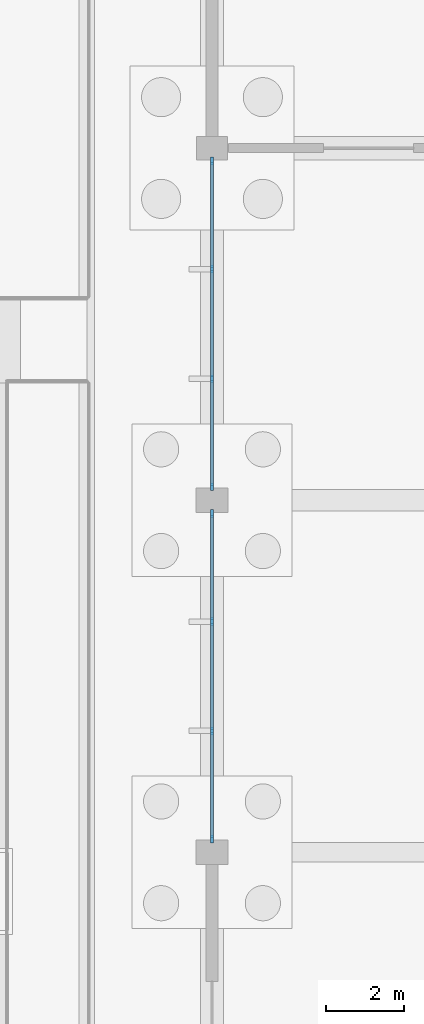
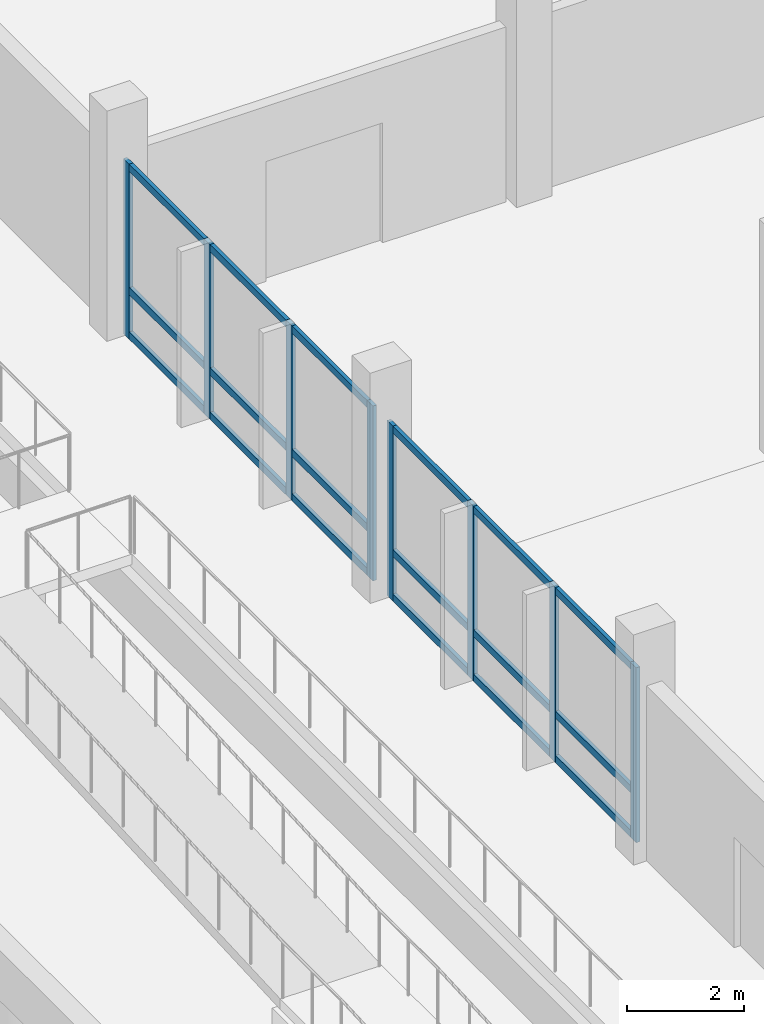
# One storey, part 20 of 72: 26 members, 2 elements without a shape of their own.
"""IFC4 building model written with IfcOpenShell, lengths in metres."""

from ifc_helpers import new_model, si_unit, direction, frame, origin, origin_2d, place, context, subcontext, project, spatial, rectangle, extrude, material, material_profile, profile_set, type_object, element, aggregate, save


model = new_model("IFC4")

# Units and contexts
model_context = context("Model", 3, precision=1e-05, world=origin(), true_north=direction((0.0, 1.0)))
body_context = subcontext(model_context, "Body", "Model", "MODEL_VIEW")
ifc_project = project(units=[si_unit("LENGTHUNIT", "METRE"), si_unit("AREAUNIT", "SQUARE_METRE"), si_unit("VOLUMEUNIT", "CUBIC_METRE"), si_unit("PLANEANGLEUNIT", "RADIAN"), si_unit("MASSUNIT", "GRAM", prefix="KILO"), si_unit("THERMODYNAMICTEMPERATUREUNIT", "KELVIN"), si_unit("POWERUNIT", "WATT")], contexts=[model_context])

# Site, building, storey
site_placement = place(None, origin())
site = spatial("IfcSite", under=ifc_project, at=site_placement, CompositionType="ELEMENT")
building_placement = place(site_placement, origin())
building = spatial("IfcBuilding", under=site, at=building_placement, Name="Kronsvod Quay Wholesale Market", CompositionType="ELEMENT")
storey_placement = place(building_placement, origin())
storey = spatial("IfcBuildingStorey", under=building, at=storey_placement, Name="L00", CompositionType="ELEMENT", Elevation=0.0)

# Curtain wall, members
ifc_material_1 = material(Name="Thermally broken aluminium and triple low-E glazing", Category="aluminium")
curtain_wall_type = type_object("IfcCurtainWallType", Name="CW_Wing90x33", PredefinedType="NOTDEFINED", material=ifc_material_1)
curtain_wall_1_placement = place(storey_placement, origin())
curtain_wall_1 = element("IfcCurtainWall", 1, at=curtain_wall_1_placement, inside=storey, type_object=curtain_wall_type, Name="CWGY-L00-0-360", PredefinedType="NOTDEFINED")
ifc_material_2 = material(Name="Anodised aluminium", Category="aluminium")
ifc_material_profile_1 = material_profile(ifc_material_2, rectangle(XDim=0.074951171875, YDim=0.199951171875, at=origin_2d()), Name="ALUM75x200")
ifc_profile_set_1 = profile_set([ifc_material_profile_1], Name="Anodised aluminium")
member_type_1 = type_object("IfcMemberType", Name="Mullion_ALU75x200", PredefinedType="MULLION", material=ifc_profile_set_1)
member_1_placement = place(storey_placement, frame((0.0, 44.657470703125, 0.0), z_axis=(0.0, 0.0, 1.0), x_axis=(1.0, 0.0, 0.0)))
member_1 = element("IfcMember", 2, at=member_1_placement, type_object=member_type_1, Name="CWGY-L00-0-360-M1", PredefinedType="MULLION", context=body_context, shape_type="SweptSolid", body=[
    extrude(rectangle(XDim=0.074951171875, YDim=0.199951171875, at=origin_2d()), origin(), (0.0, 0.0, 1.0), 3.64990234375),
])
member_2_placement = place(storey_placement, frame((0.0, 41.8984375, 0.0), z_axis=(0.0, 0.0, 1.0), x_axis=(1.0, 0.0, 0.0)))
member_2 = element("IfcMember", 3, at=member_2_placement, type_object=member_type_1, Name="CWGY-L00-0-360-M2", PredefinedType="MULLION", context=body_context, shape_type="SweptSolid", body=[
    extrude(rectangle(XDim=0.074951171875, YDim=0.199951171875, at=origin_2d()), origin(), (0.0, 0.0, 1.0), 3.64990234375),
])
member_3_placement = place(storey_placement, frame((0.0, 39.1015625, 0.0), z_axis=(0.0, 0.0, 1.0), x_axis=(1.0, 0.0, 0.0)))
member_3 = element("IfcMember", 4, at=member_3_placement, type_object=member_type_1, Name="CWGY-L00-0-360-M3", PredefinedType="MULLION", context=body_context, shape_type="SweptSolid", body=[
    extrude(rectangle(XDim=0.074951171875, YDim=0.199951171875, at=origin_2d()), origin(), (0.0, 0.0, 1.0), 3.64990234375),
])
member_4_placement = place(storey_placement, frame((0.0, 36.342529296875, 0.0), z_axis=(0.0, 0.0, 1.0), x_axis=(1.0, 0.0, 0.0)))
member_4 = element("IfcMember", 5, at=member_4_placement, type_object=member_type_1, Name="CWGY-L00-0-360-M4", PredefinedType="MULLION", context=body_context, shape_type="SweptSolid", body=[
    extrude(rectangle(XDim=0.074951171875, YDim=0.199951171875, at=origin_2d()), origin(), (0.0, 0.0, 1.0), 3.64990234375),
])

curtain_wall_2_placement = place(storey_placement, origin())
curtain_wall_2 = element("IfcCurtainWall", 6, at=curtain_wall_2_placement, inside=storey, type_object=curtain_wall_type, Name="CWGY-L00-0-450", PredefinedType="NOTDEFINED")
member_5_placement = place(storey_placement, frame((0.0, 53.66748046875, 0.0), z_axis=(0.0, 0.0, 1.0), x_axis=(1.0, 0.0, 0.0)))
member_5 = element("IfcMember", 7, at=member_5_placement, type_object=member_type_1, Name="CWGY-L00-0-450-M1", PredefinedType="MULLION", context=body_context, shape_type="SweptSolid", body=[
    extrude(rectangle(XDim=0.074951171875, YDim=0.199951171875, at=origin_2d()), origin(), (0.0, 0.0, 1.0), 3.64990234375),
])
member_6_placement = place(storey_placement, frame((0.0, 50.905029296875, 0.0), z_axis=(0.0, 0.0, 1.0), x_axis=(1.0, 0.0, 0.0)))
member_6 = element("IfcMember", 8, at=member_6_placement, type_object=member_type_1, Name="CWGY-L00-0-450-M2", PredefinedType="MULLION", context=body_context, shape_type="SweptSolid", body=[
    extrude(rectangle(XDim=0.074951171875, YDim=0.199951171875, at=origin_2d()), origin(), (0.0, 0.0, 1.0), 3.64990234375),
])
member_7_placement = place(storey_placement, frame((0.0, 48.10498046875, 0.0), z_axis=(0.0, 0.0, 1.0), x_axis=(1.0, 0.0, 0.0)))
member_7 = element("IfcMember", 9, at=member_7_placement, type_object=member_type_1, Name="CWGY-L00-0-450-M3", PredefinedType="MULLION", context=body_context, shape_type="SweptSolid", body=[
    extrude(rectangle(XDim=0.074951171875, YDim=0.199951171875, at=origin_2d()), origin(), (0.0, 0.0, 1.0), 3.64990234375),
])
member_8_placement = place(storey_placement, frame((0.0, 45.342529296875, 0.0), z_axis=(0.0, 0.0, 1.0), x_axis=(1.0, 0.0, 0.0)))
member_8 = element("IfcMember", 10, at=member_8_placement, type_object=member_type_1, Name="CWGY-L00-0-450-M4", PredefinedType="MULLION", context=body_context, shape_type="SweptSolid", body=[
    extrude(rectangle(XDim=0.074951171875, YDim=0.199951171875, at=origin_2d()), origin(), (0.0, 0.0, 1.0), 3.64990234375),
])

# Member
ifc_material_3 = material(Name="Anodised aluminium", Category="aluminium")
ifc_material_profile_2 = material_profile(ifc_material_3, rectangle(XDim=0.074951171875, YDim=0.14990234375, at=origin_2d()), Name="ALUT75x150")
ifc_profile_set_2 = profile_set([ifc_material_profile_2], Name="Anodised aluminium")
member_type_2 = type_object("IfcMemberType", Name="Transom_ALU75x150", PredefinedType="USERDEFINED", material=ifc_profile_set_2)
member_9_placement = place(storey_placement, frame((0.0, 44.6201171875, 0.074951171875), z_axis=(0.0, -1.0, 0.0), x_axis=(1.0, 0.0, 0.0)))
member_9 = element("IfcMember", 11, at=member_9_placement, type_object=member_type_2, Name="CWGY-L00-0-360-T1B1", ObjectType="TRANSOM", PredefinedType="USERDEFINED", context=body_context, shape_type="SweptSolid", body=[
    extrude(rectangle(XDim=0.074951171875, YDim=0.14990234375, at=origin_2d()), origin(), (0.0, 0.0, 1.0), 2.684326171875),
])

member_10_placement = place(storey_placement, frame((0.0, 41.86083984375, 0.074951171875), z_axis=(0.0, -1.0, 0.0), x_axis=(1.0, 0.0, 0.0)))
member_10 = element("IfcMember", 12, at=member_10_placement, type_object=member_type_2, Name="CWGY-L00-0-360-T1B2", ObjectType="TRANSOM", PredefinedType="USERDEFINED", context=body_context, shape_type="SweptSolid", body=[
    extrude(rectangle(XDim=0.074951171875, YDim=0.14990234375, at=origin_2d()), origin(), (0.0, 0.0, 1.0), 2.7216796875),
])

member_11_placement = place(storey_placement, frame((0.0, 39.064208984375, 0.074951171875), z_axis=(0.0, -1.0, 0.0), x_axis=(1.0, 0.0, 0.0)))
member_11 = element("IfcMember", 13, at=member_11_placement, type_object=member_type_2, Name="CWGY-L00-0-360-T1B3", ObjectType="TRANSOM", PredefinedType="USERDEFINED", context=body_context, shape_type="SweptSolid", body=[
    extrude(rectangle(XDim=0.074951171875, YDim=0.14990234375, at=origin_2d()), origin(), (0.0, 0.0, 1.0), 2.684326171875),
])

member_12_placement = place(storey_placement, frame((0.0, 44.6201171875, 1.0), z_axis=(0.0, -1.0, 0.0), x_axis=(1.0, 0.0, 0.0)))
member_12 = element("IfcMember", 14, at=member_12_placement, type_object=member_type_2, Name="CWGY-L00-0-360-T2B1", ObjectType="TRANSOM", PredefinedType="USERDEFINED", context=body_context, shape_type="SweptSolid", body=[
    extrude(rectangle(XDim=0.074951171875, YDim=0.14990234375, at=origin_2d()), origin(), (0.0, 0.0, 1.0), 2.684326171875),
])

member_13_placement = place(storey_placement, frame((0.0, 41.86083984375, 1.0), z_axis=(0.0, -1.0, 0.0), x_axis=(1.0, 0.0, 0.0)))
member_13 = element("IfcMember", 15, at=member_13_placement, type_object=member_type_2, Name="CWGY-L00-0-360-T2B2", ObjectType="TRANSOM", PredefinedType="USERDEFINED", context=body_context, shape_type="SweptSolid", body=[
    extrude(rectangle(XDim=0.074951171875, YDim=0.14990234375, at=origin_2d()), origin(), (0.0, 0.0, 1.0), 2.7216796875),
])

member_14_placement = place(storey_placement, frame((0.0, 39.064208984375, 1.0), z_axis=(0.0, -1.0, 0.0), x_axis=(1.0, 0.0, 0.0)))
member_14 = element("IfcMember", 16, at=member_14_placement, type_object=member_type_2, Name="CWGY-L00-0-360-T2B3", ObjectType="TRANSOM", PredefinedType="USERDEFINED", context=body_context, shape_type="SweptSolid", body=[
    extrude(rectangle(XDim=0.074951171875, YDim=0.14990234375, at=origin_2d()), origin(), (0.0, 0.0, 1.0), 2.684326171875),
])

member_15_placement = place(storey_placement, frame((0.0, 44.6201171875, 3.574951171875), z_axis=(0.0, -1.0, 0.0), x_axis=(1.0, 0.0, 0.0)))
member_15 = element("IfcMember", 17, at=member_15_placement, type_object=member_type_2, Name="CWGY-L00-0-360-T3B1", ObjectType="TRANSOM", PredefinedType="USERDEFINED", context=body_context, shape_type="SweptSolid", body=[
    extrude(rectangle(XDim=0.074951171875, YDim=0.14990234375, at=origin_2d()), origin(), (0.0, 0.0, 1.0), 2.684326171875),
])

member_16_placement = place(storey_placement, frame((0.0, 41.86083984375, 3.574951171875), z_axis=(0.0, -1.0, 0.0), x_axis=(1.0, 0.0, 0.0)))
member_16 = element("IfcMember", 18, at=member_16_placement, type_object=member_type_2, Name="CWGY-L00-0-360-T3B2", ObjectType="TRANSOM", PredefinedType="USERDEFINED", context=body_context, shape_type="SweptSolid", body=[
    extrude(rectangle(XDim=0.074951171875, YDim=0.14990234375, at=origin_2d()), origin(), (0.0, 0.0, 1.0), 2.7216796875),
])

member_17_placement = place(storey_placement, frame((0.0, 39.064208984375, 3.574951171875), z_axis=(0.0, -1.0, 0.0), x_axis=(1.0, 0.0, 0.0)))
member_17 = element("IfcMember", 19, at=member_17_placement, type_object=member_type_2, Name="CWGY-L00-0-360-T3B3", ObjectType="TRANSOM", PredefinedType="USERDEFINED", context=body_context, shape_type="SweptSolid", body=[
    extrude(rectangle(XDim=0.074951171875, YDim=0.14990234375, at=origin_2d()), origin(), (0.0, 0.0, 1.0), 2.684326171875),
])

aggregate(curtain_wall_1, [member_1, member_2, member_3, member_4, member_9, member_10, member_11, member_12, member_13, member_14, member_15, member_16, member_17])

member_18_placement = place(storey_placement, frame((0.0, 53.6298828125, 0.074951171875), z_axis=(0.0, -1.0, 0.0), x_axis=(1.0, 0.0, 0.0)))
member_18 = element("IfcMember", 20, at=member_18_placement, type_object=member_type_2, Name="CWGY-L00-0-450-T1B1", ObjectType="TRANSOM", PredefinedType="USERDEFINED", context=body_context, shape_type="SweptSolid", body=[
    extrude(rectangle(XDim=0.074951171875, YDim=0.14990234375, at=origin_2d()), origin(), (0.0, 0.0, 1.0), 2.6875),
])

member_19_placement = place(storey_placement, frame((0.0, 50.867431640625, 0.074951171875), z_axis=(0.0, -1.0, 0.0), x_axis=(1.0, 0.0, 0.0)))
member_19 = element("IfcMember", 21, at=member_19_placement, type_object=member_type_2, Name="CWGY-L00-0-450-T1B2", ObjectType="TRANSOM", PredefinedType="USERDEFINED", context=body_context, shape_type="SweptSolid", body=[
    extrude(rectangle(XDim=0.074951171875, YDim=0.14990234375, at=origin_2d()), origin(), (0.0, 0.0, 1.0), 2.724853515625),
])

member_20_placement = place(storey_placement, frame((0.0, 48.0673828125, 0.074951171875), z_axis=(0.0, -1.0, 0.0), x_axis=(1.0, 0.0, 0.0)))
member_20 = element("IfcMember", 22, at=member_20_placement, type_object=member_type_2, Name="CWGY-L00-0-450-T1B3", ObjectType="TRANSOM", PredefinedType="USERDEFINED", context=body_context, shape_type="SweptSolid", body=[
    extrude(rectangle(XDim=0.074951171875, YDim=0.14990234375, at=origin_2d()), origin(), (0.0, 0.0, 1.0), 2.6875),
])

member_21_placement = place(storey_placement, frame((0.0, 53.6298828125, 1.0), z_axis=(0.0, -1.0, 0.0), x_axis=(1.0, 0.0, 0.0)))
member_21 = element("IfcMember", 23, at=member_21_placement, type_object=member_type_2, Name="CWGY-L00-0-450-T2B1", ObjectType="TRANSOM", PredefinedType="USERDEFINED", context=body_context, shape_type="SweptSolid", body=[
    extrude(rectangle(XDim=0.074951171875, YDim=0.14990234375, at=origin_2d()), origin(), (0.0, 0.0, 1.0), 2.6875),
])

member_22_placement = place(storey_placement, frame((0.0, 50.867431640625, 1.0), z_axis=(0.0, -1.0, 0.0), x_axis=(1.0, 0.0, 0.0)))
member_22 = element("IfcMember", 24, at=member_22_placement, type_object=member_type_2, Name="CWGY-L00-0-450-T2B2", ObjectType="TRANSOM", PredefinedType="USERDEFINED", context=body_context, shape_type="SweptSolid", body=[
    extrude(rectangle(XDim=0.074951171875, YDim=0.14990234375, at=origin_2d()), origin(), (0.0, 0.0, 1.0), 2.724853515625),
])

member_23_placement = place(storey_placement, frame((0.0, 48.0673828125, 1.0), z_axis=(0.0, -1.0, 0.0), x_axis=(1.0, 0.0, 0.0)))
member_23 = element("IfcMember", 25, at=member_23_placement, type_object=member_type_2, Name="CWGY-L00-0-450-T2B3", ObjectType="TRANSOM", PredefinedType="USERDEFINED", context=body_context, shape_type="SweptSolid", body=[
    extrude(rectangle(XDim=0.074951171875, YDim=0.14990234375, at=origin_2d()), origin(), (0.0, 0.0, 1.0), 2.6875),
])

member_24_placement = place(storey_placement, frame((0.0, 53.6298828125, 3.574951171875), z_axis=(0.0, -1.0, 0.0), x_axis=(1.0, 0.0, 0.0)))
member_24 = element("IfcMember", 26, at=member_24_placement, type_object=member_type_2, Name="CWGY-L00-0-450-T3B1", ObjectType="TRANSOM", PredefinedType="USERDEFINED", context=body_context, shape_type="SweptSolid", body=[
    extrude(rectangle(XDim=0.074951171875, YDim=0.14990234375, at=origin_2d()), origin(), (0.0, 0.0, 1.0), 2.6875),
])

member_25_placement = place(storey_placement, frame((0.0, 50.867431640625, 3.574951171875), z_axis=(0.0, -1.0, 0.0), x_axis=(1.0, 0.0, 0.0)))
member_25 = element("IfcMember", 27, at=member_25_placement, type_object=member_type_2, Name="CWGY-L00-0-450-T3B2", ObjectType="TRANSOM", PredefinedType="USERDEFINED", context=body_context, shape_type="SweptSolid", body=[
    extrude(rectangle(XDim=0.074951171875, YDim=0.14990234375, at=origin_2d()), origin(), (0.0, 0.0, 1.0), 2.724853515625),
])

member_26_placement = place(storey_placement, frame((0.0, 48.0673828125, 3.574951171875), z_axis=(0.0, -1.0, 0.0), x_axis=(1.0, 0.0, 0.0)))
member_26 = element("IfcMember", 28, at=member_26_placement, type_object=member_type_2, Name="CWGY-L00-0-450-T3B3", ObjectType="TRANSOM", PredefinedType="USERDEFINED", context=body_context, shape_type="SweptSolid", body=[
    extrude(rectangle(XDim=0.074951171875, YDim=0.14990234375, at=origin_2d()), origin(), (0.0, 0.0, 1.0), 2.6875),
])

aggregate(curtain_wall_2, [member_5, member_6, member_7, member_8, member_18, member_19, member_20, member_21, member_22, member_23, member_24, member_25, member_26])

save(model, "model.ifc")
